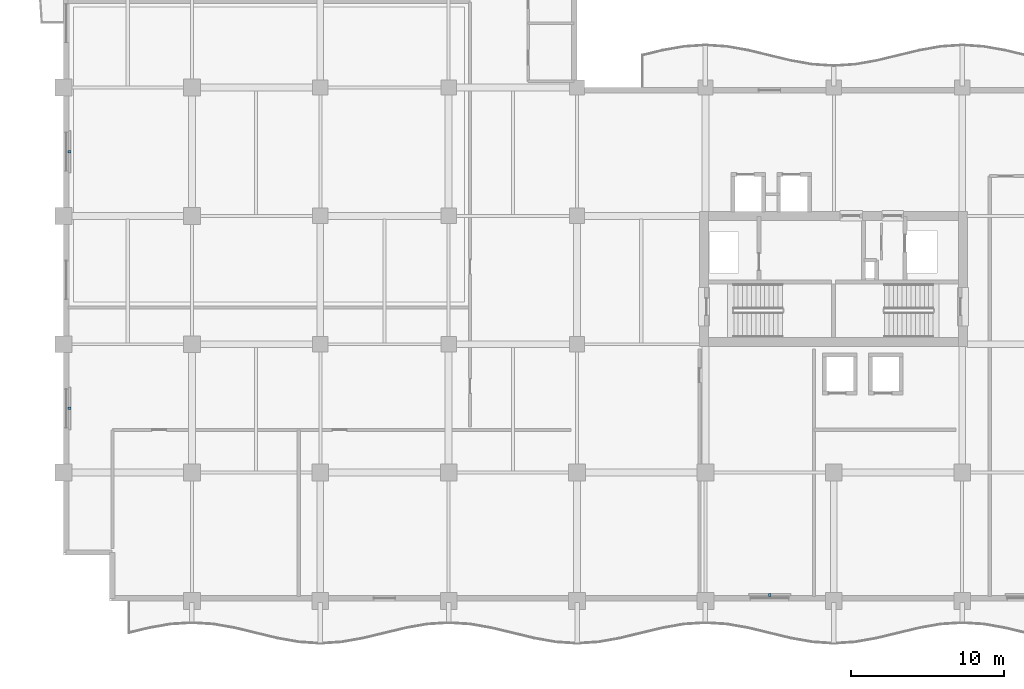
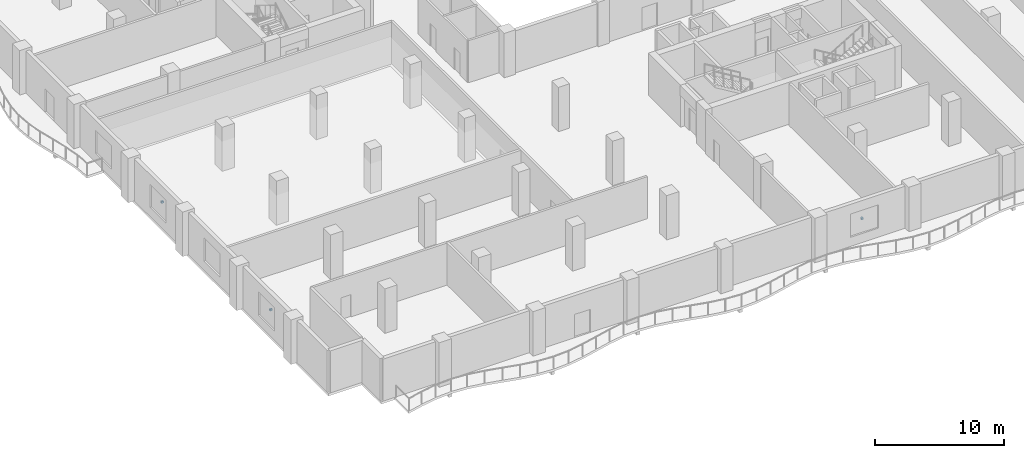
# One storey, part 17 of 22: 3 discrete accessories.
"""IFC4 building model written with IfcOpenShell, lengths in metres."""

from ifc_helpers import new_model, si_unit, direction, frame, origin, origin_2d, place, context, subcontext, project, spatial, rectangle, extrude, material, type_object, element, save


model = new_model("IFC4")

# Units and contexts
model_context = context("Model", 3, precision=1e-05, world=origin(), true_north=direction((0.0, 1.0)))
body_context = subcontext(model_context, "Body", "Model", "MODEL_VIEW")
ifc_project = project(units=[si_unit("LENGTHUNIT", "METRE"), si_unit("AREAUNIT", "SQUARE_METRE"), si_unit("VOLUMEUNIT", "CUBIC_METRE"), si_unit("PLANEANGLEUNIT", "RADIAN"), si_unit("MASSUNIT", "GRAM", prefix="KILO")], contexts=[model_context])

# Site, building, storey
site_placement = place(None, origin())
site = spatial("IfcSite", under=ifc_project, at=site_placement, CompositionType="ELEMENT")
building_placement = place(site_placement, origin())
building = spatial("IfcBuilding", under=site, at=building_placement, Name="Koriwani Terraces Tower", CompositionType="ELEMENT")
storey_placement = place(building_placement, frame((0.0, 0.0, 219.800048828125)))
storey = spatial("IfcBuildingStorey", under=building, at=storey_placement, Name="L54", CompositionType="ELEMENT", Elevation=219.800048828125)

# Discrete accessories
ifc_material = material(Name="Steel ASTM A572 Grade 50", Category="steel")
discrete_accessory_type = type_object("IfcDiscreteAccessoryType", Name="BAGUETTE_STANDOFF_BRACKET", PredefinedType="BRACKET", material=ifc_material)
for number, where, z_axis, x_axis, name in (
    (1, (0.389892578125, 12.60009765625, 1.89501953125), (0.0, 0.0, 1.0), (0.0, 1.0, 0.0), "L54 Terracotta Baguette Bracket (W-3)"),
    (2, (0.389892578125, 29.39990234375, 1.89501953125), (0.0, 0.0, 1.0), (0.0, 1.0, 0.0), "L54 Terracotta Baguette Bracket (W-9)"),
    (3, (46.199951171875, 0.389892578125, 1.89501953125), (0.0, 0.0, 1.0), (-1.0, 0.0, 0.0), "L54 Terracotta Baguette Bracket (S-15)"),
):
    element("IfcDiscreteAccessory", number, at=place(storey_placement, frame(where, z_axis=z_axis, x_axis=x_axis)), inside=storey, type_object=discrete_accessory_type, Name=name, PredefinedType="BRACKET", context=body_context, shape_type="SweptSolid", body=[
        extrude(rectangle(XDim=0.159912109375, YDim=0.199951171875, at=origin_2d()), origin(), (0.0, 0.0, 1.0), 0.179931640625),
    ])

save(model, "model.ifc")
